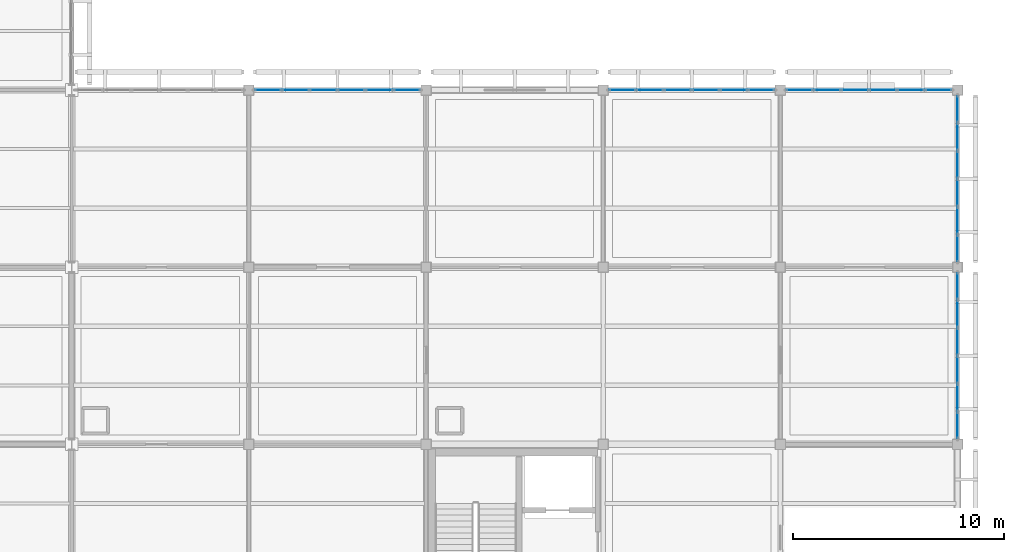
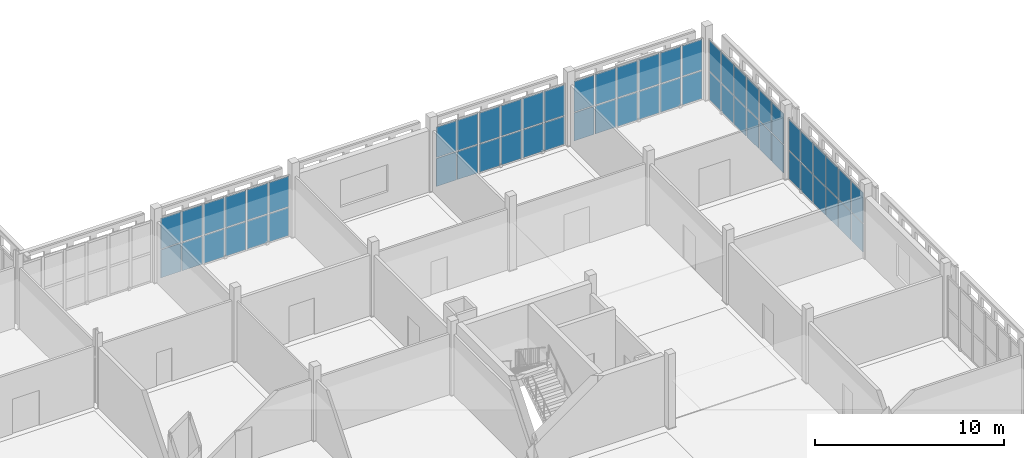
# One storey, part 107 of 203: 60 plates, 5 elements without a shape of their own.
"""IFC4 building model written with IfcOpenShell, lengths in metres."""

from ifc_helpers import new_model, si_unit, direction, frame, origin, origin_2d, place, context, subcontext, project, spatial, rectangle, extrude, material, layer, layer_set, type_object, element, aggregate, save


model = new_model("IFC4")

# Units and contexts
model_context = context("Model", 3, precision=1e-05, world=origin(), true_north=direction((0.0, 1.0)))
body_context = subcontext(model_context, "Body", "Model", "MODEL_VIEW")
ifc_project = project(units=[si_unit("LENGTHUNIT", "METRE"), si_unit("AREAUNIT", "SQUARE_METRE"), si_unit("VOLUMEUNIT", "CUBIC_METRE"), si_unit("PLANEANGLEUNIT", "RADIAN"), si_unit("MASSUNIT", "GRAM", prefix="KILO")], contexts=[model_context])

# Site, building, storey
site_placement = place(None, origin())
site = spatial("IfcSite", under=ifc_project, at=site_placement, CompositionType="ELEMENT")
building_placement = place(site_placement, origin())
building = spatial("IfcBuilding", under=site, at=building_placement, Name="Varnapada Polytechnic", CompositionType="ELEMENT")
storey_placement = place(building_placement, frame((0.0, 0.0, 4.800048828125)))
storey = spatial("IfcBuildingStorey", under=building, at=storey_placement, Name="L01", CompositionType="ELEMENT", Elevation=4.800048828125)

# Curtain wall, plates
ifc_material = material(Name="Double low-E laminated glass", Category="glass")
ifc_layer_1 = layer(ifc_material, 0.179931640625)
ifc_layer_set_1 = layer_set([ifc_layer_1], Name="Double low-E laminated glass")
curtain_wall_type = type_object("IfcCurtainWallType", Name="Curtain Wall CW-04", PredefinedType="NOTDEFINED", material=ifc_layer_set_1)
curtain_wall_1_placement = place(storey_placement, origin())
curtain_wall_1 = element("IfcCurtainWall", 1, at=curtain_wall_1_placement, inside=storey, type_object=curtain_wall_type, Name="L01 unitised curtain wall CW-04 (108)", PredefinedType="NOTDEFINED")
ifc_layer_2 = layer(ifc_material, 0.031982421875)
ifc_layer_set_2 = layer_set([ifc_layer_2], Name="Double low-E laminated glass")
plate_type = type_object("IfcPlateType", Name="Curtain Panel PNL-02", PredefinedType="CURTAIN_PANEL", material=ifc_layer_set_2)
plate_1_placement = place(storey_placement, frame((143.7080078125, 117.60009765625, 0.06494140625), z_axis=(0.0, 0.0, 1.0), x_axis=(1.0, 0.0, 0.0)))
plate_1 = element("IfcPlate", 2, at=plate_1_placement, type_object=plate_type, Name="CW-04 panel 1.1", PredefinedType="CURTAIN_PANEL", context=body_context, shape_type="SweptSolid", body=[
    extrude(rectangle(XDim=1.225830078125, YDim=0.031982421875, at=origin_2d()), origin(), (0.0, 0.0, 1.0), 1.80322265625),
])
plate_2_placement = place(storey_placement, frame((143.7080078125, 117.60009765625, 1.93310546875), z_axis=(0.0, 0.0, 1.0), x_axis=(1.0, 0.0, 0.0)))
plate_2 = element("IfcPlate", 3, at=plate_2_placement, type_object=plate_type, Name="CW-04 panel 1.2", PredefinedType="CURTAIN_PANEL", context=body_context, shape_type="SweptSolid", body=[
    extrude(rectangle(XDim=1.225830078125, YDim=0.031982421875, at=origin_2d()), origin(), (0.0, 0.0, 1.0), 1.961669921875),
])
plate_3_placement = place(storey_placement, frame((145.014892578125, 117.60009765625, 0.06494140625), z_axis=(0.0, 0.0, 1.0), x_axis=(1.0, 0.0, 0.0)))
plate_3 = element("IfcPlate", 4, at=plate_3_placement, type_object=plate_type, Name="CW-04 panel 2.1", PredefinedType="CURTAIN_PANEL", context=body_context, shape_type="SweptSolid", body=[
    extrude(rectangle(XDim=1.25830078125, YDim=0.031982421875, at=origin_2d()), origin(), (0.0, 0.0, 1.0), 1.80322265625),
])
plate_4_placement = place(storey_placement, frame((145.014892578125, 117.60009765625, 1.93310546875), z_axis=(0.0, 0.0, 1.0), x_axis=(1.0, 0.0, 0.0)))
plate_4 = element("IfcPlate", 5, at=plate_4_placement, type_object=plate_type, Name="CW-04 panel 2.2", PredefinedType="CURTAIN_PANEL", context=body_context, shape_type="SweptSolid", body=[
    extrude(rectangle(XDim=1.25830078125, YDim=0.031982421875, at=origin_2d()), origin(), (0.0, 0.0, 1.0), 1.961669921875),
])
plate_5_placement = place(storey_placement, frame((146.33837890625, 117.60009765625, 0.06494140625), z_axis=(0.0, 0.0, 1.0), x_axis=(1.0, 0.0, 0.0)))
plate_5 = element("IfcPlate", 6, at=plate_5_placement, type_object=plate_type, Name="CW-04 panel 3.1", PredefinedType="CURTAIN_PANEL", context=body_context, shape_type="SweptSolid", body=[
    extrude(rectangle(XDim=1.25830078125, YDim=0.031982421875, at=origin_2d()), origin(), (0.0, 0.0, 1.0), 1.80322265625),
])
plate_6_placement = place(storey_placement, frame((146.33837890625, 117.60009765625, 1.93310546875), z_axis=(0.0, 0.0, 1.0), x_axis=(1.0, 0.0, 0.0)))
plate_6 = element("IfcPlate", 7, at=plate_6_placement, type_object=plate_type, Name="CW-04 panel 3.2", PredefinedType="CURTAIN_PANEL", context=body_context, shape_type="SweptSolid", body=[
    extrude(rectangle(XDim=1.25830078125, YDim=0.031982421875, at=origin_2d()), origin(), (0.0, 0.0, 1.0), 1.961669921875),
])
plate_7_placement = place(storey_placement, frame((147.66162109375, 117.60009765625, 0.06494140625), z_axis=(0.0, 0.0, 1.0), x_axis=(1.0, 0.0, 0.0)))
plate_7 = element("IfcPlate", 8, at=plate_7_placement, type_object=plate_type, Name="CW-04 panel 4.1", PredefinedType="CURTAIN_PANEL", context=body_context, shape_type="SweptSolid", body=[
    extrude(rectangle(XDim=1.25830078125, YDim=0.031982421875, at=origin_2d()), origin(), (0.0, 0.0, 1.0), 1.80322265625),
])
plate_8_placement = place(storey_placement, frame((147.66162109375, 117.60009765625, 1.93310546875), z_axis=(0.0, 0.0, 1.0), x_axis=(1.0, 0.0, 0.0)))
plate_8 = element("IfcPlate", 9, at=plate_8_placement, type_object=plate_type, Name="CW-04 panel 4.2", PredefinedType="CURTAIN_PANEL", context=body_context, shape_type="SweptSolid", body=[
    extrude(rectangle(XDim=1.25830078125, YDim=0.031982421875, at=origin_2d()), origin(), (0.0, 0.0, 1.0), 1.961669921875),
])
plate_9_placement = place(storey_placement, frame((148.985107421875, 117.60009765625, 0.06494140625), z_axis=(0.0, 0.0, 1.0), x_axis=(1.0, 0.0, 0.0)))
plate_9 = element("IfcPlate", 10, at=plate_9_placement, type_object=plate_type, Name="CW-04 panel 5.1", PredefinedType="CURTAIN_PANEL", context=body_context, shape_type="SweptSolid", body=[
    extrude(rectangle(XDim=1.25830078125, YDim=0.031982421875, at=origin_2d()), origin(), (0.0, 0.0, 1.0), 1.80322265625),
])
plate_10_placement = place(storey_placement, frame((148.985107421875, 117.60009765625, 1.93310546875), z_axis=(0.0, 0.0, 1.0), x_axis=(1.0, 0.0, 0.0)))
plate_10 = element("IfcPlate", 11, at=plate_10_placement, type_object=plate_type, Name="CW-04 panel 5.2", PredefinedType="CURTAIN_PANEL", context=body_context, shape_type="SweptSolid", body=[
    extrude(rectangle(XDim=1.25830078125, YDim=0.031982421875, at=origin_2d()), origin(), (0.0, 0.0, 1.0), 1.961669921875),
])
plate_11_placement = place(storey_placement, frame((150.2919921875, 117.60009765625, 0.06494140625), z_axis=(0.0, 0.0, 1.0), x_axis=(1.0, 0.0, 0.0)))
plate_11 = element("IfcPlate", 12, at=plate_11_placement, type_object=plate_type, Name="CW-04 panel 6.1", PredefinedType="CURTAIN_PANEL", context=body_context, shape_type="SweptSolid", body=[
    extrude(rectangle(XDim=1.225830078125, YDim=0.031982421875, at=origin_2d()), origin(), (0.0, 0.0, 1.0), 1.80322265625),
])
plate_12_placement = place(storey_placement, frame((150.2919921875, 117.60009765625, 1.93310546875), z_axis=(0.0, 0.0, 1.0), x_axis=(1.0, 0.0, 0.0)))
plate_12 = element("IfcPlate", 13, at=plate_12_placement, type_object=plate_type, Name="CW-04 panel 6.2", PredefinedType="CURTAIN_PANEL", context=body_context, shape_type="SweptSolid", body=[
    extrude(rectangle(XDim=1.225830078125, YDim=0.031982421875, at=origin_2d()), origin(), (0.0, 0.0, 1.0), 1.961669921875),
])
aggregate(curtain_wall_1, [plate_1, plate_2, plate_3, plate_4, plate_5, plate_6, plate_7, plate_8, plate_9, plate_10, plate_11, plate_12])

curtain_wall_2_placement = place(storey_placement, origin())
curtain_wall_2 = element("IfcCurtainWall", 14, at=curtain_wall_2_placement, inside=storey, type_object=curtain_wall_type, Name="L01 unitised curtain wall CW-04 (114)", PredefinedType="NOTDEFINED")
plate_13_placement = place(storey_placement, frame((160.5078125, 117.60009765625, 0.06494140625), z_axis=(0.0, 0.0, 1.0), x_axis=(1.0, 0.0, 0.0)))
plate_13 = element("IfcPlate", 15, at=plate_13_placement, type_object=plate_type, Name="CW-04 panel 1.1", PredefinedType="CURTAIN_PANEL", context=body_context, shape_type="SweptSolid", body=[
    extrude(rectangle(XDim=1.225830078125, YDim=0.031982421875, at=origin_2d()), origin(), (0.0, 0.0, 1.0), 1.80322265625),
])
plate_14_placement = place(storey_placement, frame((160.5078125, 117.60009765625, 1.93310546875), z_axis=(0.0, 0.0, 1.0), x_axis=(1.0, 0.0, 0.0)))
plate_14 = element("IfcPlate", 16, at=plate_14_placement, type_object=plate_type, Name="CW-04 panel 1.2", PredefinedType="CURTAIN_PANEL", context=body_context, shape_type="SweptSolid", body=[
    extrude(rectangle(XDim=1.225830078125, YDim=0.031982421875, at=origin_2d()), origin(), (0.0, 0.0, 1.0), 1.961669921875),
])
plate_15_placement = place(storey_placement, frame((161.81494140625, 117.60009765625, 0.06494140625), z_axis=(0.0, 0.0, 1.0), x_axis=(1.0, 0.0, 0.0)))
plate_15 = element("IfcPlate", 17, at=plate_15_placement, type_object=plate_type, Name="CW-04 panel 2.1", PredefinedType="CURTAIN_PANEL", context=body_context, shape_type="SweptSolid", body=[
    extrude(rectangle(XDim=1.25830078125, YDim=0.031982421875, at=origin_2d()), origin(), (0.0, 0.0, 1.0), 1.80322265625),
])
plate_16_placement = place(storey_placement, frame((161.81494140625, 117.60009765625, 1.93310546875), z_axis=(0.0, 0.0, 1.0), x_axis=(1.0, 0.0, 0.0)))
plate_16 = element("IfcPlate", 18, at=plate_16_placement, type_object=plate_type, Name="CW-04 panel 2.2", PredefinedType="CURTAIN_PANEL", context=body_context, shape_type="SweptSolid", body=[
    extrude(rectangle(XDim=1.25830078125, YDim=0.031982421875, at=origin_2d()), origin(), (0.0, 0.0, 1.0), 1.961669921875),
])
plate_17_placement = place(storey_placement, frame((163.138427734375, 117.60009765625, 0.06494140625), z_axis=(0.0, 0.0, 1.0), x_axis=(1.0, 0.0, 0.0)))
plate_17 = element("IfcPlate", 19, at=plate_17_placement, type_object=plate_type, Name="CW-04 panel 3.1", PredefinedType="CURTAIN_PANEL", context=body_context, shape_type="SweptSolid", body=[
    extrude(rectangle(XDim=1.25830078125, YDim=0.031982421875, at=origin_2d()), origin(), (0.0, 0.0, 1.0), 1.80322265625),
])
plate_18_placement = place(storey_placement, frame((163.138427734375, 117.60009765625, 1.93310546875), z_axis=(0.0, 0.0, 1.0), x_axis=(1.0, 0.0, 0.0)))
plate_18 = element("IfcPlate", 20, at=plate_18_placement, type_object=plate_type, Name="CW-04 panel 3.2", PredefinedType="CURTAIN_PANEL", context=body_context, shape_type="SweptSolid", body=[
    extrude(rectangle(XDim=1.25830078125, YDim=0.031982421875, at=origin_2d()), origin(), (0.0, 0.0, 1.0), 1.961669921875),
])
plate_19_placement = place(storey_placement, frame((164.461669921875, 117.60009765625, 0.06494140625), z_axis=(0.0, 0.0, 1.0), x_axis=(1.0, 0.0, 0.0)))
plate_19 = element("IfcPlate", 21, at=plate_19_placement, type_object=plate_type, Name="CW-04 panel 4.1", PredefinedType="CURTAIN_PANEL", context=body_context, shape_type="SweptSolid", body=[
    extrude(rectangle(XDim=1.25830078125, YDim=0.031982421875, at=origin_2d()), origin(), (0.0, 0.0, 1.0), 1.80322265625),
])
plate_20_placement = place(storey_placement, frame((164.461669921875, 117.60009765625, 1.93310546875), z_axis=(0.0, 0.0, 1.0), x_axis=(1.0, 0.0, 0.0)))
plate_20 = element("IfcPlate", 22, at=plate_20_placement, type_object=plate_type, Name="CW-04 panel 4.2", PredefinedType="CURTAIN_PANEL", context=body_context, shape_type="SweptSolid", body=[
    extrude(rectangle(XDim=1.25830078125, YDim=0.031982421875, at=origin_2d()), origin(), (0.0, 0.0, 1.0), 1.961669921875),
])
plate_21_placement = place(storey_placement, frame((165.784912109375, 117.60009765625, 0.06494140625), z_axis=(0.0, 0.0, 1.0), x_axis=(1.0, 0.0, 0.0)))
plate_21 = element("IfcPlate", 23, at=plate_21_placement, type_object=plate_type, Name="CW-04 panel 5.1", PredefinedType="CURTAIN_PANEL", context=body_context, shape_type="SweptSolid", body=[
    extrude(rectangle(XDim=1.25830078125, YDim=0.031982421875, at=origin_2d()), origin(), (0.0, 0.0, 1.0), 1.80322265625),
])
plate_22_placement = place(storey_placement, frame((165.784912109375, 117.60009765625, 1.93310546875), z_axis=(0.0, 0.0, 1.0), x_axis=(1.0, 0.0, 0.0)))
plate_22 = element("IfcPlate", 24, at=plate_22_placement, type_object=plate_type, Name="CW-04 panel 5.2", PredefinedType="CURTAIN_PANEL", context=body_context, shape_type="SweptSolid", body=[
    extrude(rectangle(XDim=1.25830078125, YDim=0.031982421875, at=origin_2d()), origin(), (0.0, 0.0, 1.0), 1.961669921875),
])
plate_23_placement = place(storey_placement, frame((167.092041015625, 117.60009765625, 0.06494140625), z_axis=(0.0, 0.0, 1.0), x_axis=(1.0, 0.0, 0.0)))
plate_23 = element("IfcPlate", 25, at=plate_23_placement, type_object=plate_type, Name="CW-04 panel 6.1", PredefinedType="CURTAIN_PANEL", context=body_context, shape_type="SweptSolid", body=[
    extrude(rectangle(XDim=1.225830078125, YDim=0.031982421875, at=origin_2d()), origin(), (0.0, 0.0, 1.0), 1.80322265625),
])
plate_24_placement = place(storey_placement, frame((167.092041015625, 117.60009765625, 1.93310546875), z_axis=(0.0, 0.0, 1.0), x_axis=(1.0, 0.0, 0.0)))
plate_24 = element("IfcPlate", 26, at=plate_24_placement, type_object=plate_type, Name="CW-04 panel 6.2", PredefinedType="CURTAIN_PANEL", context=body_context, shape_type="SweptSolid", body=[
    extrude(rectangle(XDim=1.225830078125, YDim=0.031982421875, at=origin_2d()), origin(), (0.0, 0.0, 1.0), 1.961669921875),
])
aggregate(curtain_wall_2, [plate_13, plate_14, plate_15, plate_16, plate_17, plate_18, plate_19, plate_20, plate_21, plate_22, plate_23, plate_24])

curtain_wall_3_placement = place(storey_placement, origin())
curtain_wall_3 = element("IfcCurtainWall", 27, at=curtain_wall_3_placement, inside=storey, type_object=curtain_wall_type, Name="L01 unitised curtain wall CW-04 (125)", PredefinedType="NOTDEFINED")
plate_25_placement = place(storey_placement, frame((176.39990234375, 108.30126953125, 0.06494140625), z_axis=(0.0, 0.0, 1.0), x_axis=(0.0, -1.0, 0.0)))
plate_25 = element("IfcPlate", 28, at=plate_25_placement, type_object=plate_type, Name="CW-04 panel 1.1", PredefinedType="CURTAIN_PANEL", context=body_context, shape_type="SweptSolid", body=[
    extrude(rectangle(XDim=1.2275390625, YDim=0.031982421875, at=origin_2d()), origin(), (0.0, 0.0, 1.0), 1.80322265625),
])
plate_26_placement = place(storey_placement, frame((176.39990234375, 108.30126953125, 1.93310546875), z_axis=(0.0, 0.0, 1.0), x_axis=(0.0, -1.0, 0.0)))
plate_26 = element("IfcPlate", 29, at=plate_26_placement, type_object=plate_type, Name="CW-04 panel 1.2", PredefinedType="CURTAIN_PANEL", context=body_context, shape_type="SweptSolid", body=[
    extrude(rectangle(XDim=1.2275390625, YDim=0.031982421875, at=origin_2d()), origin(), (0.0, 0.0, 1.0), 1.961669921875),
])
plate_27_placement = place(storey_placement, frame((176.39990234375, 106.992431640625, 0.06494140625), z_axis=(0.0, 0.0, 1.0), x_axis=(0.0, -1.0, 0.0)))
plate_27 = element("IfcPlate", 30, at=plate_27_placement, type_object=plate_type, Name="CW-04 panel 2.1", PredefinedType="CURTAIN_PANEL", context=body_context, shape_type="SweptSolid", body=[
    extrude(rectangle(XDim=1.260009765625, YDim=0.031982421875, at=origin_2d()), origin(), (0.0, 0.0, 1.0), 1.80322265625),
])
plate_28_placement = place(storey_placement, frame((176.39990234375, 106.992431640625, 1.93310546875), z_axis=(0.0, 0.0, 1.0), x_axis=(0.0, -1.0, 0.0)))
plate_28 = element("IfcPlate", 31, at=plate_28_placement, type_object=plate_type, Name="CW-04 panel 2.2", PredefinedType="CURTAIN_PANEL", context=body_context, shape_type="SweptSolid", body=[
    extrude(rectangle(XDim=1.260009765625, YDim=0.031982421875, at=origin_2d()), origin(), (0.0, 0.0, 1.0), 1.961669921875),
])
plate_29_placement = place(storey_placement, frame((176.39990234375, 105.66748046875, 0.06494140625), z_axis=(0.0, 0.0, 1.0), x_axis=(0.0, -1.0, 0.0)))
plate_29 = element("IfcPlate", 32, at=plate_29_placement, type_object=plate_type, Name="CW-04 panel 3.1", PredefinedType="CURTAIN_PANEL", context=body_context, shape_type="SweptSolid", body=[
    extrude(rectangle(XDim=1.260009765625, YDim=0.031982421875, at=origin_2d()), origin(), (0.0, 0.0, 1.0), 1.80322265625),
])
plate_30_placement = place(storey_placement, frame((176.39990234375, 105.66748046875, 1.93310546875), z_axis=(0.0, 0.0, 1.0), x_axis=(0.0, -1.0, 0.0)))
plate_30 = element("IfcPlate", 33, at=plate_30_placement, type_object=plate_type, Name="CW-04 panel 3.2", PredefinedType="CURTAIN_PANEL", context=body_context, shape_type="SweptSolid", body=[
    extrude(rectangle(XDim=1.260009765625, YDim=0.031982421875, at=origin_2d()), origin(), (0.0, 0.0, 1.0), 1.961669921875),
])
plate_31_placement = place(storey_placement, frame((176.39990234375, 104.342529296875, 0.06494140625), z_axis=(0.0, 0.0, 1.0), x_axis=(0.0, -1.0, 0.0)))
plate_31 = element("IfcPlate", 34, at=plate_31_placement, type_object=plate_type, Name="CW-04 panel 4.1", PredefinedType="CURTAIN_PANEL", context=body_context, shape_type="SweptSolid", body=[
    extrude(rectangle(XDim=1.260009765625, YDim=0.031982421875, at=origin_2d()), origin(), (0.0, 0.0, 1.0), 1.80322265625),
])
plate_32_placement = place(storey_placement, frame((176.39990234375, 104.342529296875, 1.93310546875), z_axis=(0.0, 0.0, 1.0), x_axis=(0.0, -1.0, 0.0)))
plate_32 = element("IfcPlate", 35, at=plate_32_placement, type_object=plate_type, Name="CW-04 panel 4.2", PredefinedType="CURTAIN_PANEL", context=body_context, shape_type="SweptSolid", body=[
    extrude(rectangle(XDim=1.260009765625, YDim=0.031982421875, at=origin_2d()), origin(), (0.0, 0.0, 1.0), 1.961669921875),
])
plate_33_placement = place(storey_placement, frame((176.39990234375, 103.017578125, 0.06494140625), z_axis=(0.0, 0.0, 1.0), x_axis=(0.0, -1.0, 0.0)))
plate_33 = element("IfcPlate", 36, at=plate_33_placement, type_object=plate_type, Name="CW-04 panel 5.1", PredefinedType="CURTAIN_PANEL", context=body_context, shape_type="SweptSolid", body=[
    extrude(rectangle(XDim=1.260009765625, YDim=0.031982421875, at=origin_2d()), origin(), (0.0, 0.0, 1.0), 1.80322265625),
])
plate_34_placement = place(storey_placement, frame((176.39990234375, 103.017578125, 1.93310546875), z_axis=(0.0, 0.0, 1.0), x_axis=(0.0, -1.0, 0.0)))
plate_34 = element("IfcPlate", 37, at=plate_34_placement, type_object=plate_type, Name="CW-04 panel 5.2", PredefinedType="CURTAIN_PANEL", context=body_context, shape_type="SweptSolid", body=[
    extrude(rectangle(XDim=1.260009765625, YDim=0.031982421875, at=origin_2d()), origin(), (0.0, 0.0, 1.0), 1.961669921875),
])
plate_35_placement = place(storey_placement, frame((176.39990234375, 101.708740234375, 0.06494140625), z_axis=(0.0, 0.0, 1.0), x_axis=(0.0, -1.0, 0.0)))
plate_35 = element("IfcPlate", 38, at=plate_35_placement, type_object=plate_type, Name="CW-04 panel 6.1", PredefinedType="CURTAIN_PANEL", context=body_context, shape_type="SweptSolid", body=[
    extrude(rectangle(XDim=1.2275390625, YDim=0.031982421875, at=origin_2d()), origin(), (0.0, 0.0, 1.0), 1.80322265625),
])
plate_36_placement = place(storey_placement, frame((176.39990234375, 101.708740234375, 1.93310546875), z_axis=(0.0, 0.0, 1.0), x_axis=(0.0, -1.0, 0.0)))
plate_36 = element("IfcPlate", 39, at=plate_36_placement, type_object=plate_type, Name="CW-04 panel 6.2", PredefinedType="CURTAIN_PANEL", context=body_context, shape_type="SweptSolid", body=[
    extrude(rectangle(XDim=1.2275390625, YDim=0.031982421875, at=origin_2d()), origin(), (0.0, 0.0, 1.0), 1.961669921875),
])
aggregate(curtain_wall_3, [plate_25, plate_26, plate_27, plate_28, plate_29, plate_30, plate_31, plate_32, plate_33, plate_34, plate_35, plate_36])

curtain_wall_4_placement = place(storey_placement, origin())
curtain_wall_4 = element("IfcCurtainWall", 40, at=curtain_wall_4_placement, inside=storey, type_object=curtain_wall_type, Name="L01 unitised curtain wall CW-04 (126)", PredefinedType="NOTDEFINED")
plate_37_placement = place(storey_placement, frame((168.907958984375, 117.60009765625, 0.06494140625), z_axis=(0.0, 0.0, 1.0), x_axis=(1.0, 0.0, 0.0)))
plate_37 = element("IfcPlate", 41, at=plate_37_placement, type_object=plate_type, Name="CW-04 panel 1.1", PredefinedType="CURTAIN_PANEL", context=body_context, shape_type="SweptSolid", body=[
    extrude(rectangle(XDim=1.225830078125, YDim=0.031982421875, at=origin_2d()), origin(), (0.0, 0.0, 1.0), 1.80322265625),
])
plate_38_placement = place(storey_placement, frame((168.907958984375, 117.60009765625, 1.93310546875), z_axis=(0.0, 0.0, 1.0), x_axis=(1.0, 0.0, 0.0)))
plate_38 = element("IfcPlate", 42, at=plate_38_placement, type_object=plate_type, Name="CW-04 panel 1.2", PredefinedType="CURTAIN_PANEL", context=body_context, shape_type="SweptSolid", body=[
    extrude(rectangle(XDim=1.225830078125, YDim=0.031982421875, at=origin_2d()), origin(), (0.0, 0.0, 1.0), 1.961669921875),
])
plate_39_placement = place(storey_placement, frame((170.215087890625, 117.60009765625, 0.06494140625), z_axis=(0.0, 0.0, 1.0), x_axis=(1.0, 0.0, 0.0)))
plate_39 = element("IfcPlate", 43, at=plate_39_placement, type_object=plate_type, Name="CW-04 panel 2.1", PredefinedType="CURTAIN_PANEL", context=body_context, shape_type="SweptSolid", body=[
    extrude(rectangle(XDim=1.25830078125, YDim=0.031982421875, at=origin_2d()), origin(), (0.0, 0.0, 1.0), 1.80322265625),
])
plate_40_placement = place(storey_placement, frame((170.215087890625, 117.60009765625, 1.93310546875), z_axis=(0.0, 0.0, 1.0), x_axis=(1.0, 0.0, 0.0)))
plate_40 = element("IfcPlate", 44, at=plate_40_placement, type_object=plate_type, Name="CW-04 panel 2.2", PredefinedType="CURTAIN_PANEL", context=body_context, shape_type="SweptSolid", body=[
    extrude(rectangle(XDim=1.25830078125, YDim=0.031982421875, at=origin_2d()), origin(), (0.0, 0.0, 1.0), 1.961669921875),
])
plate_41_placement = place(storey_placement, frame((171.538330078125, 117.60009765625, 0.06494140625), z_axis=(0.0, 0.0, 1.0), x_axis=(1.0, 0.0, 0.0)))
plate_41 = element("IfcPlate", 45, at=plate_41_placement, type_object=plate_type, Name="CW-04 panel 3.1", PredefinedType="CURTAIN_PANEL", context=body_context, shape_type="SweptSolid", body=[
    extrude(rectangle(XDim=1.25830078125, YDim=0.031982421875, at=origin_2d()), origin(), (0.0, 0.0, 1.0), 1.80322265625),
])
plate_42_placement = place(storey_placement, frame((171.538330078125, 117.60009765625, 1.93310546875), z_axis=(0.0, 0.0, 1.0), x_axis=(1.0, 0.0, 0.0)))
plate_42 = element("IfcPlate", 46, at=plate_42_placement, type_object=plate_type, Name="CW-04 panel 3.2", PredefinedType="CURTAIN_PANEL", context=body_context, shape_type="SweptSolid", body=[
    extrude(rectangle(XDim=1.25830078125, YDim=0.031982421875, at=origin_2d()), origin(), (0.0, 0.0, 1.0), 1.961669921875),
])
plate_43_placement = place(storey_placement, frame((172.861572265625, 117.60009765625, 0.06494140625), z_axis=(0.0, 0.0, 1.0), x_axis=(1.0, 0.0, 0.0)))
plate_43 = element("IfcPlate", 47, at=plate_43_placement, type_object=plate_type, Name="CW-04 panel 4.1", PredefinedType="CURTAIN_PANEL", context=body_context, shape_type="SweptSolid", body=[
    extrude(rectangle(XDim=1.25830078125, YDim=0.031982421875, at=origin_2d()), origin(), (0.0, 0.0, 1.0), 1.80322265625),
])
plate_44_placement = place(storey_placement, frame((172.861572265625, 117.60009765625, 1.93310546875), z_axis=(0.0, 0.0, 1.0), x_axis=(1.0, 0.0, 0.0)))
plate_44 = element("IfcPlate", 48, at=plate_44_placement, type_object=plate_type, Name="CW-04 panel 4.2", PredefinedType="CURTAIN_PANEL", context=body_context, shape_type="SweptSolid", body=[
    extrude(rectangle(XDim=1.25830078125, YDim=0.031982421875, at=origin_2d()), origin(), (0.0, 0.0, 1.0), 1.961669921875),
])
plate_45_placement = place(storey_placement, frame((174.18505859375, 117.60009765625, 0.06494140625), z_axis=(0.0, 0.0, 1.0), x_axis=(1.0, 0.0, 0.0)))
plate_45 = element("IfcPlate", 49, at=plate_45_placement, type_object=plate_type, Name="CW-04 panel 5.1", PredefinedType="CURTAIN_PANEL", context=body_context, shape_type="SweptSolid", body=[
    extrude(rectangle(XDim=1.25830078125, YDim=0.031982421875, at=origin_2d()), origin(), (0.0, 0.0, 1.0), 1.80322265625),
])
plate_46_placement = place(storey_placement, frame((174.18505859375, 117.60009765625, 1.93310546875), z_axis=(0.0, 0.0, 1.0), x_axis=(1.0, 0.0, 0.0)))
plate_46 = element("IfcPlate", 50, at=plate_46_placement, type_object=plate_type, Name="CW-04 panel 5.2", PredefinedType="CURTAIN_PANEL", context=body_context, shape_type="SweptSolid", body=[
    extrude(rectangle(XDim=1.25830078125, YDim=0.031982421875, at=origin_2d()), origin(), (0.0, 0.0, 1.0), 1.961669921875),
])
plate_47_placement = place(storey_placement, frame((175.4921875, 117.60009765625, 0.06494140625), z_axis=(0.0, 0.0, 1.0), x_axis=(1.0, 0.0, 0.0)))
plate_47 = element("IfcPlate", 51, at=plate_47_placement, type_object=plate_type, Name="CW-04 panel 6.1", PredefinedType="CURTAIN_PANEL", context=body_context, shape_type="SweptSolid", body=[
    extrude(rectangle(XDim=1.225830078125, YDim=0.031982421875, at=origin_2d()), origin(), (0.0, 0.0, 1.0), 1.80322265625),
])
plate_48_placement = place(storey_placement, frame((175.4921875, 117.60009765625, 1.93310546875), z_axis=(0.0, 0.0, 1.0), x_axis=(1.0, 0.0, 0.0)))
plate_48 = element("IfcPlate", 52, at=plate_48_placement, type_object=plate_type, Name="CW-04 panel 6.2", PredefinedType="CURTAIN_PANEL", context=body_context, shape_type="SweptSolid", body=[
    extrude(rectangle(XDim=1.225830078125, YDim=0.031982421875, at=origin_2d()), origin(), (0.0, 0.0, 1.0), 1.961669921875),
])
aggregate(curtain_wall_4, [plate_37, plate_38, plate_39, plate_40, plate_41, plate_42, plate_43, plate_44, plate_45, plate_46, plate_47, plate_48])

curtain_wall_5_placement = place(storey_placement, origin())
curtain_wall_5 = element("IfcCurtainWall", 53, at=curtain_wall_5_placement, inside=storey, type_object=curtain_wall_type, Name="L01 unitised curtain wall CW-04 (127)", PredefinedType="NOTDEFINED")
plate_49_placement = place(storey_placement, frame((176.39990234375, 116.691162109375, 0.06494140625), z_axis=(0.0, 0.0, 1.0), x_axis=(0.0, -1.0, 0.0)))
plate_49 = element("IfcPlate", 54, at=plate_49_placement, type_object=plate_type, Name="CW-04 panel 1.1", PredefinedType="CURTAIN_PANEL", context=body_context, shape_type="SweptSolid", body=[
    extrude(rectangle(XDim=1.2275390625, YDim=0.031982421875, at=origin_2d()), origin(), (0.0, 0.0, 1.0), 1.80322265625),
])
plate_50_placement = place(storey_placement, frame((176.39990234375, 116.691162109375, 1.93310546875), z_axis=(0.0, 0.0, 1.0), x_axis=(0.0, -1.0, 0.0)))
plate_50 = element("IfcPlate", 55, at=plate_50_placement, type_object=plate_type, Name="CW-04 panel 1.2", PredefinedType="CURTAIN_PANEL", context=body_context, shape_type="SweptSolid", body=[
    extrude(rectangle(XDim=1.2275390625, YDim=0.031982421875, at=origin_2d()), origin(), (0.0, 0.0, 1.0), 1.961669921875),
])
plate_51_placement = place(storey_placement, frame((176.39990234375, 115.382568359375, 0.06494140625), z_axis=(0.0, 0.0, 1.0), x_axis=(0.0, -1.0, 0.0)))
plate_51 = element("IfcPlate", 56, at=plate_51_placement, type_object=plate_type, Name="CW-04 panel 2.1", PredefinedType="CURTAIN_PANEL", context=body_context, shape_type="SweptSolid", body=[
    extrude(rectangle(XDim=1.260009765625, YDim=0.031982421875, at=origin_2d()), origin(), (0.0, 0.0, 1.0), 1.80322265625),
])
plate_52_placement = place(storey_placement, frame((176.39990234375, 115.382568359375, 1.93310546875), z_axis=(0.0, 0.0, 1.0), x_axis=(0.0, -1.0, 0.0)))
plate_52 = element("IfcPlate", 57, at=plate_52_placement, type_object=plate_type, Name="CW-04 panel 2.2", PredefinedType="CURTAIN_PANEL", context=body_context, shape_type="SweptSolid", body=[
    extrude(rectangle(XDim=1.260009765625, YDim=0.031982421875, at=origin_2d()), origin(), (0.0, 0.0, 1.0), 1.961669921875),
])
plate_53_placement = place(storey_placement, frame((176.39990234375, 114.0576171875, 0.06494140625), z_axis=(0.0, 0.0, 1.0), x_axis=(0.0, -1.0, 0.0)))
plate_53 = element("IfcPlate", 58, at=plate_53_placement, type_object=plate_type, Name="CW-04 panel 3.1", PredefinedType="CURTAIN_PANEL", context=body_context, shape_type="SweptSolid", body=[
    extrude(rectangle(XDim=1.260009765625, YDim=0.031982421875, at=origin_2d()), origin(), (0.0, 0.0, 1.0), 1.80322265625),
])
plate_54_placement = place(storey_placement, frame((176.39990234375, 114.0576171875, 1.93310546875), z_axis=(0.0, 0.0, 1.0), x_axis=(0.0, -1.0, 0.0)))
plate_54 = element("IfcPlate", 59, at=plate_54_placement, type_object=plate_type, Name="CW-04 panel 3.2", PredefinedType="CURTAIN_PANEL", context=body_context, shape_type="SweptSolid", body=[
    extrude(rectangle(XDim=1.260009765625, YDim=0.031982421875, at=origin_2d()), origin(), (0.0, 0.0, 1.0), 1.961669921875),
])
plate_55_placement = place(storey_placement, frame((176.39990234375, 112.732421875, 0.06494140625), z_axis=(0.0, 0.0, 1.0), x_axis=(0.0, -1.0, 0.0)))
plate_55 = element("IfcPlate", 60, at=plate_55_placement, type_object=plate_type, Name="CW-04 panel 4.1", PredefinedType="CURTAIN_PANEL", context=body_context, shape_type="SweptSolid", body=[
    extrude(rectangle(XDim=1.260009765625, YDim=0.031982421875, at=origin_2d()), origin(), (0.0, 0.0, 1.0), 1.80322265625),
])
plate_56_placement = place(storey_placement, frame((176.39990234375, 112.732421875, 1.93310546875), z_axis=(0.0, 0.0, 1.0), x_axis=(0.0, -1.0, 0.0)))
plate_56 = element("IfcPlate", 61, at=plate_56_placement, type_object=plate_type, Name="CW-04 panel 4.2", PredefinedType="CURTAIN_PANEL", context=body_context, shape_type="SweptSolid", body=[
    extrude(rectangle(XDim=1.260009765625, YDim=0.031982421875, at=origin_2d()), origin(), (0.0, 0.0, 1.0), 1.961669921875),
])
plate_57_placement = place(storey_placement, frame((176.39990234375, 111.407470703125, 0.06494140625), z_axis=(0.0, 0.0, 1.0), x_axis=(0.0, -1.0, 0.0)))
plate_57 = element("IfcPlate", 62, at=plate_57_placement, type_object=plate_type, Name="CW-04 panel 5.1", PredefinedType="CURTAIN_PANEL", context=body_context, shape_type="SweptSolid", body=[
    extrude(rectangle(XDim=1.260009765625, YDim=0.031982421875, at=origin_2d()), origin(), (0.0, 0.0, 1.0), 1.80322265625),
])
plate_58_placement = place(storey_placement, frame((176.39990234375, 111.407470703125, 1.93310546875), z_axis=(0.0, 0.0, 1.0), x_axis=(0.0, -1.0, 0.0)))
plate_58 = element("IfcPlate", 63, at=plate_58_placement, type_object=plate_type, Name="CW-04 panel 5.2", PredefinedType="CURTAIN_PANEL", context=body_context, shape_type="SweptSolid", body=[
    extrude(rectangle(XDim=1.260009765625, YDim=0.031982421875, at=origin_2d()), origin(), (0.0, 0.0, 1.0), 1.961669921875),
])
plate_59_placement = place(storey_placement, frame((176.39990234375, 110.0986328125, 0.06494140625), z_axis=(0.0, 0.0, 1.0), x_axis=(0.0, -1.0, 0.0)))
plate_59 = element("IfcPlate", 64, at=plate_59_placement, type_object=plate_type, Name="CW-04 panel 6.1", PredefinedType="CURTAIN_PANEL", context=body_context, shape_type="SweptSolid", body=[
    extrude(rectangle(XDim=1.2275390625, YDim=0.031982421875, at=origin_2d()), origin(), (0.0, 0.0, 1.0), 1.80322265625),
])
plate_60_placement = place(storey_placement, frame((176.39990234375, 110.0986328125, 1.93310546875), z_axis=(0.0, 0.0, 1.0), x_axis=(0.0, -1.0, 0.0)))
plate_60 = element("IfcPlate", 65, at=plate_60_placement, type_object=plate_type, Name="CW-04 panel 6.2", PredefinedType="CURTAIN_PANEL", context=body_context, shape_type="SweptSolid", body=[
    extrude(rectangle(XDim=1.2275390625, YDim=0.031982421875, at=origin_2d()), origin(), (0.0, 0.0, 1.0), 1.961669921875),
])
aggregate(curtain_wall_5, [plate_49, plate_50, plate_51, plate_52, plate_53, plate_54, plate_55, plate_56, plate_57, plate_58, plate_59, plate_60])

save(model, "model.ifc")
